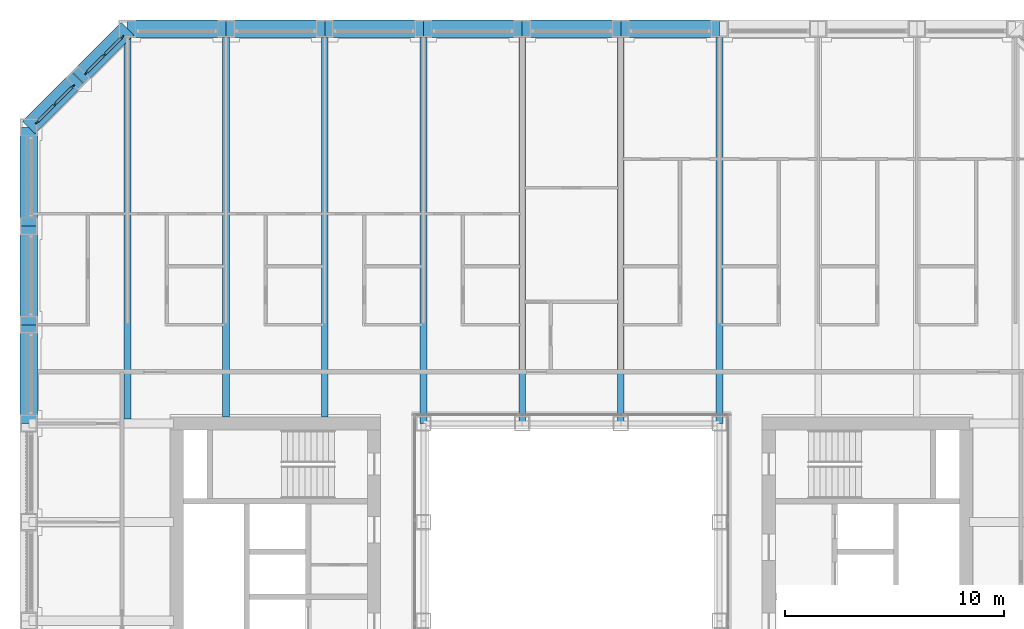
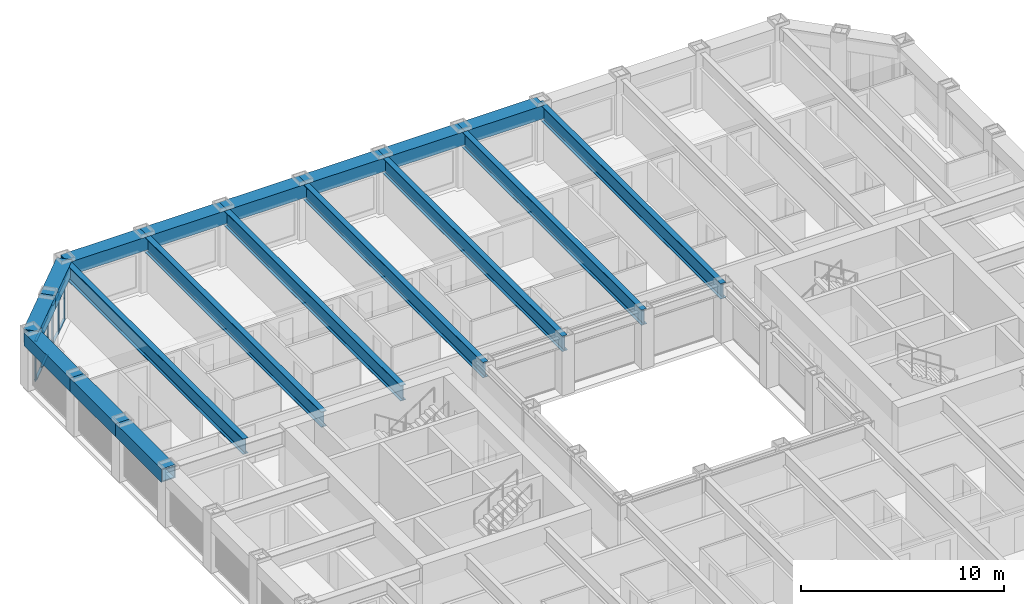
# One storey, part 6 of 21: 18 beams, 14 members, 2 elements without a shape of their own.
"""IFC4 building model written with IfcOpenShell, lengths in metres."""

import ifcopenshell
import ifcopenshell.guid

model = None  # the IFC model being written
_history = None  # IfcOwnerHistory: only IFC2X3 demands one
_inside = {}  # id of a spatial element -> (the spatial element, [elements in it])
_under = {}  # id of a project, library or spatial element -> (it, [spatial elements below it])
_declared = {}  # id of a project -> (the project, [libraries it declares])
_typed = {}  # id of a type object -> (the type object, [elements of that type])
_made_of = {}  # id of a material, layer set ... -> (it, [elements and type objects made of it])


def new_model(schema):
    """Start an empty IFC model of exactly this schema.

    Asked for "IFC4X3", IfcOpenShell would pick the latest addendum, in which some entities
    have other attributes; the version numbers below select the first issue.
    IFC2X3 requires an IfcOwnerHistory on every rooted entity: one is made here for all.
    """
    global model, _history
    if schema == "IFC4X3":
        model = ifcopenshell.file(schema_version=(4, 3, 0, 0))
    else:
        model = ifcopenshell.file(schema=schema)
    _inside.clear()
    _under.clear()
    _declared.clear()
    _typed.clear()
    _made_of.clear()
    _history = None
    if model.schema == "IFC2X3":
        org = make("IfcOrganization", Name="unknown")
        user = make(
            "IfcPersonAndOrganization",
            ThePerson=make("IfcPerson", FamilyName="unknown"),
            TheOrganization=org,
        )
        app = make(
            "IfcApplication",
            ApplicationDeveloper=org,
            Version="unknown",
            ApplicationFullName="unknown",
            ApplicationIdentifier="unknown",
        )
        _history = make(
            "IfcOwnerHistory",
            OwningUser=user,
            OwningApplication=app,
            ChangeAction="ADDED",
            CreationDate=0,
        )
    return model


def make(cls, **values):
    """One entity of the class cls with the attributes given. An attribute that is None is left unset."""
    return model.create_entity(
        cls, **{name: value for name, value in values.items() if value is not None}
    )


def rooted(cls, **values):
    """An entity with a GlobalId (a new one), such as an element, a storey or a relation."""
    return make(cls, GlobalId=ifcopenshell.guid.new(), OwnerHistory=_history, **values)


def si_unit(unit_type, name, prefix=None):
    """IfcSIUnit, for example si_unit("LENGTHUNIT", "METRE", prefix="MILLI")."""
    return make("IfcSIUnit", UnitType=unit_type, Prefix=prefix, Name=name)


def assignment(units):
    """IfcUnitAssignment: the units of a project."""
    return None if units is None else make("IfcUnitAssignment", Units=units)


def point(xyz):
    """IfcCartesianPoint."""
    return None if xyz is None else make("IfcCartesianPoint", Coordinates=xyz)


def direction(xyz):
    """IfcDirection."""
    return None if xyz is None else make("IfcDirection", DirectionRatios=xyz)


def frame(location, z_axis=None, x_axis=None):
    """IfcAxis2Placement3D, a coordinate frame: its origin and axes. An axis left out is left unset."""
    return make(
        "IfcAxis2Placement3D",
        Location=point(location),
        Axis=direction(z_axis),
        RefDirection=direction(x_axis),
    )


def frame_2d(location, x_axis=None):
    """IfcAxis2Placement2D, a coordinate frame in the plane: its origin and x axis."""
    return make(
        "IfcAxis2Placement2D", Location=point(location), RefDirection=direction(x_axis)
    )


def origin():
    """The frame at (0, 0, 0) with its axes left unset."""
    return frame((0.0, 0.0, 0.0))


def origin_2d():
    """The frame at (0, 0) in the plane with its x axis left unset."""
    return frame_2d((0.0, 0.0))


def place(relative_to, where):
    """IfcLocalPlacement: puts the frame where relative to a parent placement (None: the world)."""
    return make(
        "IfcLocalPlacement", PlacementRelTo=relative_to, RelativePlacement=where
    )


def context(
    kind, dimensions, precision=None, world=None, true_north=None, identifier=None
):
    """IfcGeometricRepresentationContext, for example the 3D "Model" context."""
    return make(
        "IfcGeometricRepresentationContext",
        ContextIdentifier=identifier,
        ContextType=kind,
        CoordinateSpaceDimension=dimensions,
        Precision=precision,
        WorldCoordinateSystem=world,
        TrueNorth=true_north,
    )


def subcontext(parent, identifier, kind, view, scale=None):
    """IfcGeometricRepresentationSubContext, for example "Body" below "Model"."""
    return make(
        "IfcGeometricRepresentationSubContext",
        ContextIdentifier=identifier,
        ContextType=kind,
        ParentContext=parent,
        TargetScale=scale,
        TargetView=view,
    )


def project(units=None, contexts=None):
    """IfcProject with its units and contexts."""
    return rooted(
        "IfcProject",
        Name="project",
        RepresentationContexts=contexts,
        UnitsInContext=assignment(units),
    )


def spatial(cls, under=None, at=None, **own):
    """A site, building, storey or space (cls), placed at a placement, below another one or the project."""
    s = rooted(cls, ObjectPlacement=at, **own)
    if under is not None:
        _under.setdefault(under.id(), (under, []))[1].append(s)
    return s


def profile(cls, at=None, kind="AREA", **sizes):
    """A parametric profile (cls). Its sizes go by their IFC names, for example OverallWidth=200.0."""
    return make(cls, ProfileType=kind, Position=at, **sizes)


def rectangle(**sizes):
    """IfcRectangleProfileDef."""
    return profile("IfcRectangleProfileDef", **sizes)


def hollow_rectangle(**sizes):
    """IfcRectangleHollowProfileDef."""
    return profile("IfcRectangleHollowProfileDef", **sizes)


def i_section(**sizes):
    """IfcIShapeProfileDef."""
    return profile("IfcIShapeProfileDef", **sizes)


def extrude(swept, where, along, depth):
    """IfcExtrudedAreaSolid: the profile swept, set in the frame where, extruded along a direction by depth."""
    return make(
        "IfcExtrudedAreaSolid",
        SweptArea=swept,
        Position=where,
        ExtrudedDirection=direction(along),
        Depth=depth,
    )


def shape(context_of_items, identifier, shape_type, items):
    """IfcShapeRepresentation: the items that make up one representation, for example the "Body"."""
    return make(
        "IfcShapeRepresentation",
        ContextOfItems=context_of_items,
        RepresentationIdentifier=identifier,
        RepresentationType=shape_type,
        Items=items,
    )


def material(Name=None, Category=None):
    """IfcMaterial."""
    return make("IfcMaterial", Name=Name, Category=Category)


def material_profile(
    of_material, cross_section, Name=None, Category=None, Priority=None
):
    """IfcMaterialProfile: a cross section and its material."""
    return make(
        "IfcMaterialProfile",
        Name=Name,
        Material=of_material,
        Profile=cross_section,
        Priority=Priority,
        Category=Category,
    )


def profile_set(profiles, Name=None, composite=None):
    """IfcMaterialProfileSet."""
    return make(
        "IfcMaterialProfileSet",
        Name=Name,
        MaterialProfiles=profiles,
        CompositeProfile=composite,
    )


def made_of(thing, what):
    """Note that an element or type object is made of a material, layer set ...; save() writes the relation."""
    if what is not None:
        _made_of.setdefault(what.id(), (what, []))[1].append(thing)
    return thing


def type_object(cls, material=None, **own):
    """A type object (cls), such as IfcWallType, which elements share."""
    return made_of(rooted(cls, **own), material)


def element(
    cls,
    number,
    at=None,
    inside=None,
    cuts=None,
    type_object=None,
    material=None,
    context=None,
    identifier="Body",
    shape_type=None,
    held_by="IfcProductDefinitionShape",
    body=None,
    shapes=None,
    **own,
):
    """One element of the class cls, such as IfcWall. Its Tag is "e" and its number.

    at: its placement. inside: the storey or other place that contains it. cuts: it is an
    opening in that element (IfcRelVoidsElement). A single representation is given by context,
    identifier, shape_type and body (its items); several are given by shapes. held_by: the class
    of the entity that holds the representations. save() writes the other relations.
    """
    e = rooted(cls, Tag="e%d" % number, ObjectPlacement=at, **own)
    if body is not None:
        shapes = [shape(context, identifier, shape_type, body)]
    if shapes is not None:
        e.Representation = make(held_by, Representations=shapes)
    if inside is not None:
        _inside.setdefault(inside.id(), (inside, []))[1].append(e)
    if cuts is not None:
        rooted(
            "IfcRelVoidsElement", RelatingBuildingElement=cuts, RelatedOpeningElement=e
        )
    if type_object is not None:
        _typed.setdefault(type_object.id(), (type_object, []))[1].append(e)
    return made_of(e, material)


def aggregate(whole, parts):
    """IfcRelAggregates: a whole, such as a stair, and the parts it consists of."""
    return rooted("IfcRelAggregates", RelatingObject=whole, RelatedObjects=parts)


def save(model, path):
    """Write the relations noted so far, then the file.

    IfcRelAggregates (storeys below a building ...), IfcRelContainedInSpatialStructure (elements
    in a storey), IfcRelDefinesByType, IfcRelAssociatesMaterial and IfcRelDeclares: one each for
    every whole, place, type object, material and project.
    """
    for whole, parts in _under.values():
        aggregate(whole, parts)
    for where, things in _inside.values():
        rooted(
            "IfcRelContainedInSpatialStructure",
            RelatedElements=things,
            RelatingStructure=where,
        )
    for kind, things in _typed.values():
        rooted("IfcRelDefinesByType", RelatedObjects=things, RelatingType=kind)
    for what, things in _made_of.values():
        rooted("IfcRelAssociatesMaterial", RelatedObjects=things, RelatingMaterial=what)
    for by, libraries in _declared.values():
        rooted("IfcRelDeclares", RelatingContext=by, RelatedDefinitions=libraries)
    model.write(path)


model = new_model("IFC4")

# Units and contexts
model_context = context("Model", 3, precision=1e-05, world=origin(), true_north=direction((0.0, 1.0)))
body_context = subcontext(model_context, "Body", "Model", "MODEL_VIEW")
ifc_project = project(units=[si_unit("LENGTHUNIT", "METRE"), si_unit("AREAUNIT", "SQUARE_METRE"), si_unit("VOLUMEUNIT", "CUBIC_METRE"), si_unit("PLANEANGLEUNIT", "RADIAN"), si_unit("MASSUNIT", "GRAM", prefix="KILO")], contexts=[model_context])

# Site, building, storey
site_placement = place(None, origin())
site = spatial("IfcSite", under=ifc_project, at=site_placement, CompositionType="ELEMENT")
building_placement = place(site_placement, origin())
building = spatial("IfcBuilding", under=site, at=building_placement, Name="Msasa Ring Tower", CompositionType="ELEMENT")
storey_placement = place(building_placement, frame((0.0, 0.0, 100.0)))
storey = spatial("IfcBuildingStorey", under=building, at=storey_placement, Name="L26", CompositionType="ELEMENT", Elevation=100.0)

# Curtain wall, members
ifc_material_1 = material(Name="Aluminium curtain wall with clear glass", Category="aluminium")
curtain_wall_type = type_object("IfcCurtainWallType", Name="CW-C CHAMFER CORNER CURTAIN WALL", PredefinedType="NOTDEFINED", material=ifc_material_1)
curtain_wall_1_placement = place(storey_placement, origin())
curtain_wall_1 = element("IfcCurtainWall", 1, at=curtain_wall_1_placement, inside=storey, type_object=curtain_wall_type, Name="Chamfer corner curtain wall NW L26", PredefinedType="NOTDEFINED")
ifc_material_2 = material(Name="Aluminium mullion", Category="aluminium")
ifc_material_profile_1 = material_profile(ifc_material_2, rectangle(XDim=0.06494140625, YDim=0.179931640625, at=origin_2d()), Name="AL 65x180")
ifc_profile_set_1 = profile_set([ifc_material_profile_1], Name="Aluminium mullion")
member_type_1 = type_object("IfcMemberType", Name="CW-C MULLION 65x180", PredefinedType="MULLION", material=ifc_profile_set_1)
member_1_placement = place(storey_placement, frame((-22.73876953125, 22.119873046875, 0.0), z_axis=(0.0, 0.0, 1.0), x_axis=(0.707106781187, -0.707106781187, 0.0)))
member_1 = element("IfcMember", 2, at=member_1_placement, type_object=member_type_1, Name="CW-C mullion 1", PredefinedType="MULLION", context=body_context, shape_type="SweptSolid", body=[
    extrude(rectangle(XDim=0.06494140625, YDim=0.179931640625, at=origin_2d()), origin(), (0.0, 0.0, 1.0), 2.37890625),
])
member_2_placement = place(storey_placement, frame((-23.55419921875, 21.30419921875, 0.0), z_axis=(0.0, 0.0, 1.0), x_axis=(0.707106781187, -0.707106781187, 0.0)))
member_2 = element("IfcMember", 3, at=member_2_placement, type_object=member_type_1, Name="CW-C mullion 2", PredefinedType="MULLION", context=body_context, shape_type="SweptSolid", body=[
    extrude(rectangle(XDim=0.06494140625, YDim=0.179931640625, at=origin_2d()), origin(), (0.0, 0.0, 1.0), 2.37890625),
])
member_3_placement = place(storey_placement, frame((-24.369873046875, 20.48876953125, 0.0), z_axis=(0.0, 0.0, 1.0), x_axis=(0.707106781187, -0.707106781187, 0.0)))
member_3 = element("IfcMember", 4, at=member_3_placement, type_object=member_type_1, Name="CW-C mullion 3", PredefinedType="MULLION", context=body_context, shape_type="SweptSolid", body=[
    extrude(rectangle(XDim=0.06494140625, YDim=0.179931640625, at=origin_2d()), origin(), (0.0, 0.0, 1.0), 2.37890625),
])

curtain_wall_2_placement = place(storey_placement, origin())
curtain_wall_2 = element("IfcCurtainWall", 5, at=curtain_wall_2_placement, inside=storey, type_object=curtain_wall_type, Name="Chamfer corner curtain wall NW L26", PredefinedType="NOTDEFINED")
member_4_placement = place(storey_placement, frame((-20.48876953125, 24.369873046875, 0.0), z_axis=(0.0, 0.0, 1.0), x_axis=(0.707106781187, -0.707106781187, 0.0)))
member_4 = element("IfcMember", 6, at=member_4_placement, type_object=member_type_1, Name="CW-C mullion 1", PredefinedType="MULLION", context=body_context, shape_type="SweptSolid", body=[
    extrude(rectangle(XDim=0.06494140625, YDim=0.179931640625, at=origin_2d()), origin(), (0.0, 0.0, 1.0), 2.37890625),
])
member_5_placement = place(storey_placement, frame((-21.30419921875, 23.55419921875, 0.0), z_axis=(0.0, 0.0, 1.0), x_axis=(0.707106781187, -0.707106781187, 0.0)))
member_5 = element("IfcMember", 7, at=member_5_placement, type_object=member_type_1, Name="CW-C mullion 2", PredefinedType="MULLION", context=body_context, shape_type="SweptSolid", body=[
    extrude(rectangle(XDim=0.06494140625, YDim=0.179931640625, at=origin_2d()), origin(), (0.0, 0.0, 1.0), 2.37890625),
])
member_6_placement = place(storey_placement, frame((-22.119873046875, 22.73876953125, 0.0), z_axis=(0.0, 0.0, 1.0), x_axis=(0.707106781187, -0.707106781187, 0.0)))
member_6 = element("IfcMember", 8, at=member_6_placement, type_object=member_type_1, Name="CW-C mullion 3", PredefinedType="MULLION", context=body_context, shape_type="SweptSolid", body=[
    extrude(rectangle(XDim=0.06494140625, YDim=0.179931640625, at=origin_2d()), origin(), (0.0, 0.0, 1.0), 2.37890625),
])

# Member
ifc_material_3 = material(Name="Aluminium transom", Category="aluminium")
ifc_material_profile_2 = material_profile(ifc_material_3, rectangle(XDim=0.139892578125, YDim=0.06494140625, at=origin_2d()), Name="AL 65x140")
ifc_profile_set_2 = profile_set([ifc_material_profile_2], Name="Aluminium transom")
member_type_2 = type_object("IfcMemberType", Name="CW-C TRANSOM 65x140", PredefinedType="USERDEFINED", material=ifc_profile_set_2)
member_7_placement = place(storey_placement, frame((-22.76171875, 22.096923828125, 0.032470703125), z_axis=(-0.707106781187, -0.707106781187, 0.0), x_axis=(0.707106781187, -0.707106781187, 0.0)))
member_7 = element("IfcMember", 9, at=member_7_placement, type_object=member_type_2, Name="CW-C transom 1.1", ObjectType="TRANSOM", PredefinedType="USERDEFINED", context=body_context, shape_type="SweptSolid", body=[
    extrude(rectangle(XDim=0.139892578125, YDim=0.06494140625, at=origin_2d()), origin(), (0.0, 0.0, 1.0), 1.08837890625),
])

member_8_placement = place(storey_placement, frame((-22.76171875, 22.096923828125, 2.346435546875), z_axis=(-0.707106781187, -0.707106781187, 0.0), x_axis=(0.707106781187, -0.707106781187, 0.0)))
member_8 = element("IfcMember", 10, at=member_8_placement, type_object=member_type_2, Name="CW-C transom 1.2", ObjectType="TRANSOM", PredefinedType="USERDEFINED", context=body_context, shape_type="SweptSolid", body=[
    extrude(rectangle(XDim=0.139892578125, YDim=0.06494140625, at=origin_2d()), origin(), (0.0, 0.0, 1.0), 1.08837890625),
])

member_9_placement = place(storey_placement, frame((-23.577392578125, 21.28125, 0.032470703125), z_axis=(-0.707106781187, -0.707106781187, 0.0), x_axis=(0.707106781187, -0.707106781187, 0.0)))
member_9 = element("IfcMember", 11, at=member_9_placement, type_object=member_type_2, Name="CW-C transom 2.1", ObjectType="TRANSOM", PredefinedType="USERDEFINED", context=body_context, shape_type="SweptSolid", body=[
    extrude(rectangle(XDim=0.139892578125, YDim=0.06494140625, at=origin_2d()), origin(), (0.0, 0.0, 1.0), 1.08837890625),
])

member_10_placement = place(storey_placement, frame((-23.577392578125, 21.28125, 2.346435546875), z_axis=(-0.707106781187, -0.707106781187, 0.0), x_axis=(0.707106781187, -0.707106781187, 0.0)))
member_10 = element("IfcMember", 12, at=member_10_placement, type_object=member_type_2, Name="CW-C transom 2.2", ObjectType="TRANSOM", PredefinedType="USERDEFINED", context=body_context, shape_type="SweptSolid", body=[
    extrude(rectangle(XDim=0.139892578125, YDim=0.06494140625, at=origin_2d()), origin(), (0.0, 0.0, 1.0), 1.08837890625),
])

aggregate(curtain_wall_1, [member_1, member_2, member_3, member_7, member_8, member_9, member_10])

member_11_placement = place(storey_placement, frame((-20.51171875, 24.346923828125, 0.032470703125), z_axis=(-0.707106781187, -0.707106781187, 0.0), x_axis=(0.707106781187, -0.707106781187, 0.0)))
member_11 = element("IfcMember", 13, at=member_11_placement, type_object=member_type_2, Name="CW-C transom 1.1", ObjectType="TRANSOM", PredefinedType="USERDEFINED", context=body_context, shape_type="SweptSolid", body=[
    extrude(rectangle(XDim=0.139892578125, YDim=0.06494140625, at=origin_2d()), origin(), (0.0, 0.0, 1.0), 1.08837890625),
])

member_12_placement = place(storey_placement, frame((-20.51171875, 24.346923828125, 2.346435546875), z_axis=(-0.707106781187, -0.707106781187, 0.0), x_axis=(0.707106781187, -0.707106781187, 0.0)))
member_12 = element("IfcMember", 14, at=member_12_placement, type_object=member_type_2, Name="CW-C transom 1.2", ObjectType="TRANSOM", PredefinedType="USERDEFINED", context=body_context, shape_type="SweptSolid", body=[
    extrude(rectangle(XDim=0.139892578125, YDim=0.06494140625, at=origin_2d()), origin(), (0.0, 0.0, 1.0), 1.08837890625),
])

member_13_placement = place(storey_placement, frame((-21.327392578125, 23.53125, 0.032470703125), z_axis=(-0.707106781187, -0.707106781187, 0.0), x_axis=(0.707106781187, -0.707106781187, 0.0)))
member_13 = element("IfcMember", 15, at=member_13_placement, type_object=member_type_2, Name="CW-C transom 2.1", ObjectType="TRANSOM", PredefinedType="USERDEFINED", context=body_context, shape_type="SweptSolid", body=[
    extrude(rectangle(XDim=0.139892578125, YDim=0.06494140625, at=origin_2d()), origin(), (0.0, 0.0, 1.0), 1.08837890625),
])

member_14_placement = place(storey_placement, frame((-21.327392578125, 23.53125, 2.346435546875), z_axis=(-0.707106781187, -0.707106781187, 0.0), x_axis=(0.707106781187, -0.707106781187, 0.0)))
member_14 = element("IfcMember", 16, at=member_14_placement, type_object=member_type_2, Name="CW-C transom 2.2", ObjectType="TRANSOM", PredefinedType="USERDEFINED", context=body_context, shape_type="SweptSolid", body=[
    extrude(rectangle(XDim=0.139892578125, YDim=0.06494140625, at=origin_2d()), origin(), (0.0, 0.0, 1.0), 1.08837890625),
])

aggregate(curtain_wall_2, [member_4, member_5, member_6, member_11, member_12, member_13, member_14])

# Beams
ifc_material_4 = material(Name="Steel S355", Category="steel")
ifc_material_profile_3 = material_profile(ifc_material_4, i_section(OverallWidth=0.3076171875, OverallDepth=0.926513671875, WebThickness=0.01953125, FlangeThickness=0.031982421875, FilletRadius=0.01904296875, at=origin_2d()), Name="UB 914x305x289")
ifc_profile_set_3 = profile_set([ifc_material_profile_3], Name="Steel S355")
beam_type_1 = type_object("IfcBeamType", Name="FB3 UB 914x305x289", PredefinedType="BEAM", material=ifc_profile_set_3)
beam_placement = place(storey_placement, frame((-20.25, 24.75, 2.836669921875), z_axis=(0.0, -1.0, 0.0), x_axis=(1.0, 0.0, 0.0)))
element("IfcBeam", 17, at=beam_placement, inside=storey, type_object=beam_type_1, Name="Floor beam N-20.25 under L27", PredefinedType="BEAM", context=body_context, shape_type="SweptSolid", body=[
    extrude(i_section(OverallWidth=0.3076171875, OverallDepth=0.926513671875, WebThickness=0.01953125, FlangeThickness=0.031982421875, FilletRadius=0.01904296875, at=origin_2d()), origin(), (0.0, 0.0, 1.0), 17.789794921875),
])
for number, where, z_axis, x_axis, name in (
    (18, (-15.75, 24.75, 2.836669921875), (0.0, -1.0, 0.0), (1.0, 0.0, 0.0), "Floor beam N-15.75 under L27"),
    (19, (-11.25, 24.75, 2.836669921875), (0.0, -1.0, 0.0), (1.0, 0.0, 0.0), "Floor beam N-11.25 under L27"),
):
    element("IfcBeam", number, at=place(storey_placement, frame(where, z_axis=z_axis, x_axis=x_axis)), inside=storey, type_object=beam_type_1, Name=name, PredefinedType="BEAM", context=body_context, shape_type="SweptSolid", body=[
        extrude(i_section(OverallWidth=0.3076171875, OverallDepth=0.926513671875, WebThickness=0.01953125, FlangeThickness=0.031982421875, FilletRadius=0.01904296875, at=origin_2d()), origin(), (0.0, 0.0, 1.0), 17.699951171875),
    ])
for number, where, z_axis, x_axis, name in (
    (20, (-6.75, 24.75, 2.836669921875), (0.0, -1.0, 0.0), (1.0, 0.0, 0.0), "Floor beam N-6.75 under L27"),
    (21, (-2.25, 24.75, 2.836669921875), (0.0, -1.0, 0.0), (1.0, 0.0, 0.0), "Floor beam N-2.25 under L27"),
    (22, (2.25, 24.75, 2.836669921875), (0.0, -1.0, 0.0), (1.0, 0.0, 0.0), "Floor beam N+2.25 under L27"),
    (23, (6.75, 24.75, 2.836669921875), (0.0, -1.0, 0.0), (1.0, 0.0, 0.0), "Floor beam N+6.75 under L27"),
):
    element("IfcBeam", number, at=place(storey_placement, frame(where, z_axis=z_axis, x_axis=x_axis)), inside=storey, type_object=beam_type_1, Name=name, PredefinedType="BEAM", context=body_context, shape_type="SweptSolid", body=[
        extrude(i_section(OverallWidth=0.3076171875, OverallDepth=0.926513671875, WebThickness=0.01953125, FlangeThickness=0.031982421875, FilletRadius=0.01904296875, at=origin_2d()), origin(), (0.0, 0.0, 1.0), 18.0),
    ])
ifc_material_5 = material(Name="Steel S355", Category="steel")
ifc_material_profile_4 = material_profile(ifc_material_5, hollow_rectangle(XDim=0.800048828125, YDim=0.800048828125, WallThickness=0.06005859375, at=origin_2d()), Name="BOX 800x800x60")
ifc_profile_set_4 = profile_set([ifc_material_profile_4], Name="Steel S355")
beam_type_2 = type_object("IfcBeamType", Name="SB3 BOX 800x800x60", PredefinedType="SPANDREL", material=ifc_profile_set_4)
for number, where, z_axis, x_axis, name in (
    (24, (6.75, 24.75, 2.89990234375), (-1.0, 0.0, 0.0), (0.0, -1.0, 0.0), "Spandrel N+6.75 to N+2.25 under L27"),
    (25, (2.25, 24.75, 2.89990234375), (-1.0, 0.0, 0.0), (0.0, -1.0, 0.0), "Spandrel N+2.25 to N-2.25 under L27"),
    (26, (-2.25, 24.75, 2.89990234375), (-1.0, 0.0, 0.0), (0.0, -1.0, 0.0), "Spandrel N-2.25 to N-6.75 under L27"),
    (27, (-6.75, 24.75, 2.89990234375), (-1.0, 0.0, 0.0), (0.0, -1.0, 0.0), "Spandrel N-6.75 to N-11.25 under L27"),
    (28, (-11.25, 24.75, 2.89990234375), (-1.0, 0.0, 0.0), (0.0, -1.0, 0.0), "Spandrel N-11.25 to N-15.75 under L27"),
    (29, (-15.75, 24.75, 2.89990234375), (-1.0, 0.0, 0.0), (0.0, -1.0, 0.0), "Spandrel N-15.75 to N-20.25 under L27"),
):
    element("IfcBeam", number, at=place(storey_placement, frame(where, z_axis=z_axis, x_axis=x_axis)), inside=storey, type_object=beam_type_2, Name=name, PredefinedType="SPANDREL", context=body_context, shape_type="SweptSolid", body=[
        extrude(hollow_rectangle(XDim=0.800048828125, YDim=0.800048828125, WallThickness=0.06005859375, at=origin_2d()), origin(), (0.0, 0.0, 1.0), 4.5),
    ])
for number, where, z_axis, x_axis, name in (
    (30, (-20.25, 24.75, 2.89990234375), (-0.707106781187, -0.707106781187, 0.0), (0.707106781187, -0.707106781187, 0.0), "Spandrel N-20.25 to NW under L27"),
    (31, (-22.5, 22.5, 2.89990234375), (-0.707106781187, -0.707106781187, 0.0), (0.707106781187, -0.707106781187, 0.0), "Spandrel NW to W+20.25 under L27"),
):
    element("IfcBeam", number, at=place(storey_placement, frame(where, z_axis=z_axis, x_axis=x_axis)), inside=storey, type_object=beam_type_2, Name=name, PredefinedType="SPANDREL", context=body_context, shape_type="SweptSolid", body=[
        extrude(hollow_rectangle(XDim=0.800048828125, YDim=0.800048828125, WallThickness=0.06005859375, at=origin_2d()), origin(), (0.0, 0.0, 1.0), 3.181884765625),
    ])
for number, where, z_axis, x_axis, name in (
    (32, (-24.75, 20.25, 2.89990234375), (0.0, -1.0, 0.0), (1.0, 0.0, 0.0), "Spandrel W+20.25 to W+15.75 under L27"),
    (33, (-24.75, 15.75, 2.89990234375), (0.0, -1.0, 0.0), (1.0, 0.0, 0.0), "Spandrel W+15.75 to W+11.25 under L27"),
    (34, (-24.75, 11.25, 2.89990234375), (0.0, -1.0, 0.0), (1.0, 0.0, 0.0), "Spandrel W+11.25 to W+6.75 under L27"),
):
    element("IfcBeam", number, at=place(storey_placement, frame(where, z_axis=z_axis, x_axis=x_axis)), inside=storey, type_object=beam_type_2, Name=name, PredefinedType="SPANDREL", context=body_context, shape_type="SweptSolid", body=[
        extrude(hollow_rectangle(XDim=0.800048828125, YDim=0.800048828125, WallThickness=0.06005859375, at=origin_2d()), origin(), (0.0, 0.0, 1.0), 4.5),
    ])

save(model, "model.ifc")
